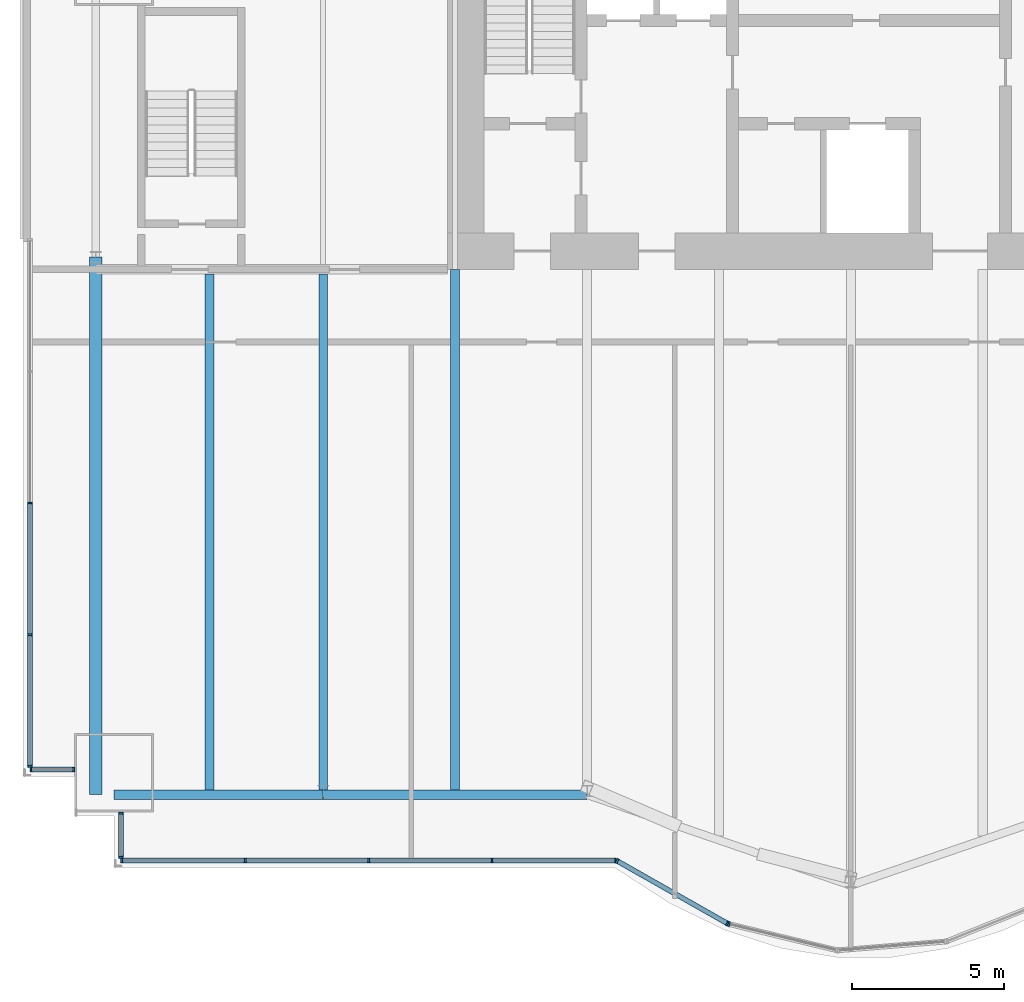
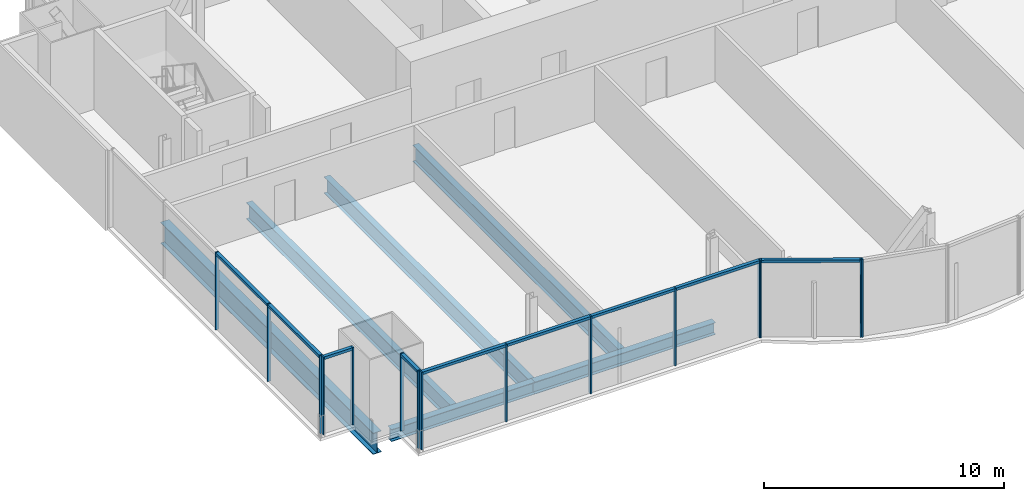
# One storey, part 5 of 20: 24 members, 6 beams, 5 elements without a shape of their own.
"""IFC4 building model written with IfcOpenShell, lengths in metres."""

import ifcopenshell
import ifcopenshell.guid

model = None  # the IFC model being written
_history = None  # IfcOwnerHistory: only IFC2X3 demands one
_inside = {}  # id of a spatial element -> (the spatial element, [elements in it])
_under = {}  # id of a project, library or spatial element -> (it, [spatial elements below it])
_declared = {}  # id of a project -> (the project, [libraries it declares])
_typed = {}  # id of a type object -> (the type object, [elements of that type])
_made_of = {}  # id of a material, layer set ... -> (it, [elements and type objects made of it])


def new_model(schema):
    """Start an empty IFC model of exactly this schema.

    Asked for "IFC4X3", IfcOpenShell would pick the latest addendum, in which some entities
    have other attributes; the version numbers below select the first issue.
    IFC2X3 requires an IfcOwnerHistory on every rooted entity: one is made here for all.
    """
    global model, _history
    if schema == "IFC4X3":
        model = ifcopenshell.file(schema_version=(4, 3, 0, 0))
    else:
        model = ifcopenshell.file(schema=schema)
    _inside.clear()
    _under.clear()
    _declared.clear()
    _typed.clear()
    _made_of.clear()
    _history = None
    if model.schema == "IFC2X3":
        org = make("IfcOrganization", Name="unknown")
        user = make(
            "IfcPersonAndOrganization",
            ThePerson=make("IfcPerson", FamilyName="unknown"),
            TheOrganization=org,
        )
        app = make(
            "IfcApplication",
            ApplicationDeveloper=org,
            Version="unknown",
            ApplicationFullName="unknown",
            ApplicationIdentifier="unknown",
        )
        _history = make(
            "IfcOwnerHistory",
            OwningUser=user,
            OwningApplication=app,
            ChangeAction="ADDED",
            CreationDate=0,
        )
    return model


def make(cls, **values):
    """One entity of the class cls with the attributes given. An attribute that is None is left unset."""
    return model.create_entity(
        cls, **{name: value for name, value in values.items() if value is not None}
    )


def rooted(cls, **values):
    """An entity with a GlobalId (a new one), such as an element, a storey or a relation."""
    return make(cls, GlobalId=ifcopenshell.guid.new(), OwnerHistory=_history, **values)


def si_unit(unit_type, name, prefix=None):
    """IfcSIUnit, for example si_unit("LENGTHUNIT", "METRE", prefix="MILLI")."""
    return make("IfcSIUnit", UnitType=unit_type, Prefix=prefix, Name=name)


def assignment(units):
    """IfcUnitAssignment: the units of a project."""
    return None if units is None else make("IfcUnitAssignment", Units=units)


def point(xyz):
    """IfcCartesianPoint."""
    return None if xyz is None else make("IfcCartesianPoint", Coordinates=xyz)


def direction(xyz):
    """IfcDirection."""
    return None if xyz is None else make("IfcDirection", DirectionRatios=xyz)


def frame(location, z_axis=None, x_axis=None):
    """IfcAxis2Placement3D, a coordinate frame: its origin and axes. An axis left out is left unset."""
    return make(
        "IfcAxis2Placement3D",
        Location=point(location),
        Axis=direction(z_axis),
        RefDirection=direction(x_axis),
    )


def frame_2d(location, x_axis=None):
    """IfcAxis2Placement2D, a coordinate frame in the plane: its origin and x axis."""
    return make(
        "IfcAxis2Placement2D", Location=point(location), RefDirection=direction(x_axis)
    )


def origin():
    """The frame at (0, 0, 0) with its axes left unset."""
    return frame((0.0, 0.0, 0.0))


def origin_2d():
    """The frame at (0, 0) in the plane with its x axis left unset."""
    return frame_2d((0.0, 0.0))


def place(relative_to, where):
    """IfcLocalPlacement: puts the frame where relative to a parent placement (None: the world)."""
    return make(
        "IfcLocalPlacement", PlacementRelTo=relative_to, RelativePlacement=where
    )


def context(
    kind, dimensions, precision=None, world=None, true_north=None, identifier=None
):
    """IfcGeometricRepresentationContext, for example the 3D "Model" context."""
    return make(
        "IfcGeometricRepresentationContext",
        ContextIdentifier=identifier,
        ContextType=kind,
        CoordinateSpaceDimension=dimensions,
        Precision=precision,
        WorldCoordinateSystem=world,
        TrueNorth=true_north,
    )


def subcontext(parent, identifier, kind, view, scale=None):
    """IfcGeometricRepresentationSubContext, for example "Body" below "Model"."""
    return make(
        "IfcGeometricRepresentationSubContext",
        ContextIdentifier=identifier,
        ContextType=kind,
        ParentContext=parent,
        TargetScale=scale,
        TargetView=view,
    )


def project(units=None, contexts=None):
    """IfcProject with its units and contexts."""
    return rooted(
        "IfcProject",
        Name="project",
        RepresentationContexts=contexts,
        UnitsInContext=assignment(units),
    )


def spatial(cls, under=None, at=None, **own):
    """A site, building, storey or space (cls), placed at a placement, below another one or the project."""
    s = rooted(cls, ObjectPlacement=at, **own)
    if under is not None:
        _under.setdefault(under.id(), (under, []))[1].append(s)
    return s


def profile(cls, at=None, kind="AREA", **sizes):
    """A parametric profile (cls). Its sizes go by their IFC names, for example OverallWidth=200.0."""
    return make(cls, ProfileType=kind, Position=at, **sizes)


def rectangle(**sizes):
    """IfcRectangleProfileDef."""
    return profile("IfcRectangleProfileDef", **sizes)


def i_section(**sizes):
    """IfcIShapeProfileDef."""
    return profile("IfcIShapeProfileDef", **sizes)


def extrude(swept, where, along, depth):
    """IfcExtrudedAreaSolid: the profile swept, set in the frame where, extruded along a direction by depth."""
    return make(
        "IfcExtrudedAreaSolid",
        SweptArea=swept,
        Position=where,
        ExtrudedDirection=direction(along),
        Depth=depth,
    )


def shape(context_of_items, identifier, shape_type, items):
    """IfcShapeRepresentation: the items that make up one representation, for example the "Body"."""
    return make(
        "IfcShapeRepresentation",
        ContextOfItems=context_of_items,
        RepresentationIdentifier=identifier,
        RepresentationType=shape_type,
        Items=items,
    )


def material(Name=None, Category=None):
    """IfcMaterial."""
    return make("IfcMaterial", Name=Name, Category=Category)


def material_profile(
    of_material, cross_section, Name=None, Category=None, Priority=None
):
    """IfcMaterialProfile: a cross section and its material."""
    return make(
        "IfcMaterialProfile",
        Name=Name,
        Material=of_material,
        Profile=cross_section,
        Priority=Priority,
        Category=Category,
    )


def profile_set(profiles, Name=None, composite=None):
    """IfcMaterialProfileSet."""
    return make(
        "IfcMaterialProfileSet",
        Name=Name,
        MaterialProfiles=profiles,
        CompositeProfile=composite,
    )


def made_of(thing, what):
    """Note that an element or type object is made of a material, layer set ...; save() writes the relation."""
    if what is not None:
        _made_of.setdefault(what.id(), (what, []))[1].append(thing)
    return thing


def type_object(cls, material=None, **own):
    """A type object (cls), such as IfcWallType, which elements share."""
    return made_of(rooted(cls, **own), material)


def element(
    cls,
    number,
    at=None,
    inside=None,
    cuts=None,
    type_object=None,
    material=None,
    context=None,
    identifier="Body",
    shape_type=None,
    held_by="IfcProductDefinitionShape",
    body=None,
    shapes=None,
    **own,
):
    """One element of the class cls, such as IfcWall. Its Tag is "e" and its number.

    at: its placement. inside: the storey or other place that contains it. cuts: it is an
    opening in that element (IfcRelVoidsElement). A single representation is given by context,
    identifier, shape_type and body (its items); several are given by shapes. held_by: the class
    of the entity that holds the representations. save() writes the other relations.
    """
    e = rooted(cls, Tag="e%d" % number, ObjectPlacement=at, **own)
    if body is not None:
        shapes = [shape(context, identifier, shape_type, body)]
    if shapes is not None:
        e.Representation = make(held_by, Representations=shapes)
    if inside is not None:
        _inside.setdefault(inside.id(), (inside, []))[1].append(e)
    if cuts is not None:
        rooted(
            "IfcRelVoidsElement", RelatingBuildingElement=cuts, RelatedOpeningElement=e
        )
    if type_object is not None:
        _typed.setdefault(type_object.id(), (type_object, []))[1].append(e)
    return made_of(e, material)


def aggregate(whole, parts):
    """IfcRelAggregates: a whole, such as a stair, and the parts it consists of."""
    return rooted("IfcRelAggregates", RelatingObject=whole, RelatedObjects=parts)


def save(model, path):
    """Write the relations noted so far, then the file.

    IfcRelAggregates (storeys below a building ...), IfcRelContainedInSpatialStructure (elements
    in a storey), IfcRelDefinesByType, IfcRelAssociatesMaterial and IfcRelDeclares: one each for
    every whole, place, type object, material and project.
    """
    for whole, parts in _under.values():
        aggregate(whole, parts)
    for where, things in _inside.values():
        rooted(
            "IfcRelContainedInSpatialStructure",
            RelatedElements=things,
            RelatingStructure=where,
        )
    for kind, things in _typed.values():
        rooted("IfcRelDefinesByType", RelatedObjects=things, RelatingType=kind)
    for what, things in _made_of.values():
        rooted("IfcRelAssociatesMaterial", RelatedObjects=things, RelatingMaterial=what)
    for by, libraries in _declared.values():
        rooted("IfcRelDeclares", RelatingContext=by, RelatedDefinitions=libraries)
    model.write(path)


model = new_model("IFC4")

# Units and contexts
model_context = context("Model", 3, precision=1e-05, world=origin(), true_north=direction((0.0, 1.0)))
body_context = subcontext(model_context, "Body", "Model", "MODEL_VIEW")
ifc_project = project(units=[si_unit("LENGTHUNIT", "METRE"), si_unit("AREAUNIT", "SQUARE_METRE"), si_unit("VOLUMEUNIT", "CUBIC_METRE"), si_unit("PLANEANGLEUNIT", "RADIAN"), si_unit("MASSUNIT", "GRAM", prefix="KILO")], contexts=[model_context])

# Site, building, storey
site_placement = place(None, origin())
site = spatial("IfcSite", under=ifc_project, at=site_placement, CompositionType="ELEMENT")
building_placement = place(site_placement, origin())
building = spatial("IfcBuilding", under=site, at=building_placement, Name="Bicima Exchange Tower", CompositionType="ELEMENT")
storey_placement = place(building_placement, frame((0.0, 0.0, 199.10009765625)))
storey = spatial("IfcBuildingStorey", under=building, at=storey_placement, Name="L44", CompositionType="ELEMENT", Elevation=199.10009765625)

# Curtain wall, members
ifc_material_1 = material(Name="Anodised bronze aluminium", Category="aluminium")
curtain_wall_type_1 = type_object("IfcCurtainWallType", Name="End face glass wall", PredefinedType="NOTDEFINED", material=ifc_material_1)
curtain_wall_1_placement = place(storey_placement, origin())
curtain_wall_1 = element("IfcCurtainWall", 1, at=curtain_wall_1_placement, inside=storey, type_object=curtain_wall_type_1, Name="End face glass wall L44 run 2", PredefinedType="NOTDEFINED")
ifc_material_profile_1 = material_profile(ifc_material_1, rectangle(XDim=0.159912109375, YDim=0.06005859375, at=origin_2d()))
ifc_profile_set_1 = profile_set([ifc_material_profile_1], Name="Anodised bronze aluminium")
member_type_1 = type_object("IfcMemberType", Name="End face glass wall mullion 60 x 160", PredefinedType="MULLION", material=ifc_profile_set_1)
member_1_placement = place(storey_placement, frame((-35.77001953125, -20.708984375, 0.0), z_axis=(0.0, 0.0, 1.0), x_axis=(1.0, 0.0, 0.0)))
member_1 = element("IfcMember", 2, at=member_1_placement, type_object=member_type_1, Name="End face glass wall mullion 3", PredefinedType="MULLION", context=body_context, shape_type="SweptSolid", body=[
    extrude(rectangle(XDim=0.159912109375, YDim=0.06005859375, at=origin_2d()), origin(), (0.0, 0.0, 1.0), 3.949951171875),
])
member_2_placement = place(storey_placement, frame((-35.77001953125, -25.048583984375, 0.0), z_axis=(0.0, 0.0, 1.0), x_axis=(1.0, 0.0, 0.0)))
member_2 = element("IfcMember", 3, at=member_2_placement, type_object=member_type_1, Name="End face glass wall mullion 4", PredefinedType="MULLION", context=body_context, shape_type="SweptSolid", body=[
    extrude(rectangle(XDim=0.159912109375, YDim=0.06005859375, at=origin_2d()), origin(), (0.0, 0.0, 1.0), 3.949951171875),
])
member_3_placement = place(storey_placement, frame((-35.77001953125, -29.387939453125, 0.0), z_axis=(0.0, 0.0, 1.0), x_axis=(1.0, 0.0, 0.0)))
member_3 = element("IfcMember", 4, at=member_3_placement, type_object=member_type_1, Name="End face glass wall mullion 5", PredefinedType="MULLION", context=body_context, shape_type="SweptSolid", body=[
    extrude(rectangle(XDim=0.159912109375, YDim=0.06005859375, at=origin_2d()), origin(), (0.0, 0.0, 1.0), 3.949951171875),
])
ifc_material_profile_2 = material_profile(ifc_material_1, rectangle(XDim=0.159912109375, YDim=0.139892578125, at=origin_2d()))
ifc_profile_set_2 = profile_set([ifc_material_profile_2], Name="Anodised bronze aluminium")
member_type_2 = type_object("IfcMemberType", Name="End face glass wall transom 140 x 160", PredefinedType="USERDEFINED", material=ifc_profile_set_2)
member_4_placement = place(storey_placement, frame((-35.77001953125, -20.739013671875, 3.8798828125), z_axis=(0.0, -1.0, 0.0), x_axis=(1.0, 0.0, 0.0)))
member_4 = element("IfcMember", 5, at=member_4_placement, type_object=member_type_2, Name="End face glass wall transom 3.1", ObjectType="TRANSOM", PredefinedType="USERDEFINED", context=body_context, shape_type="SweptSolid", body=[
    extrude(rectangle(XDim=0.159912109375, YDim=0.139892578125, at=origin_2d()), origin(), (0.0, 0.0, 1.0), 4.279541015625),
])
member_5_placement = place(storey_placement, frame((-35.77001953125, -25.07861328125, 3.8798828125), z_axis=(0.0, -1.0, 0.0), x_axis=(1.0, 0.0, 0.0)))
member_5 = element("IfcMember", 6, at=member_5_placement, type_object=member_type_2, Name="End face glass wall transom 4.1", ObjectType="TRANSOM", PredefinedType="USERDEFINED", context=body_context, shape_type="SweptSolid", body=[
    extrude(rectangle(XDim=0.159912109375, YDim=0.139892578125, at=origin_2d()), origin(), (0.0, 0.0, 1.0), 4.279296875),
])
aggregate(curtain_wall_1, [member_1, member_2, member_3, member_4, member_5])

# Beams
ifc_material_2 = material(Name="Steel ASTM A992 Gr 50", Category="steel")
ifc_material_profile_3 = material_profile(ifc_material_2, i_section(OverallWidth=0.4013671875, OverallDepth=1.089599609375, WebThickness=0.01806640625, FlangeThickness=0.031005859375, at=origin_2d()))
ifc_profile_set_3 = profile_set([ifc_material_profile_3], Name="Steel ASTM A992 Gr 50")
beam_type_1 = type_object("IfcBeamType", Name="End girder W44x230", PredefinedType="BEAM", material=ifc_profile_set_3)
beam_1_placement = place(storey_placement, frame((-33.60009765625, -12.60009765625, -0.69482421875), z_axis=(0.0, -1.0, 0.0), x_axis=(1.0, 0.0, 0.0)))
element("IfcBeam", 7, at=beam_1_placement, inside=storey, type_object=beam_type_1, Name="End girder", PredefinedType="BEAM", context=body_context, shape_type="SweptSolid", body=[
    extrude(i_section(OverallWidth=0.4013671875, OverallDepth=1.089599609375, WebThickness=0.01806640625, FlangeThickness=0.031005859375, at=origin_2d()), origin(), (0.0, 0.0, 1.0), 17.727783203125),
])
ifc_material_profile_4 = material_profile(ifc_material_2, i_section(OverallWidth=0.2919921875, OverallDepth=0.835693359375, WebThickness=0.013916015625, FlangeThickness=0.018798828125, at=origin_2d()))
ifc_profile_set_4 = profile_set([ifc_material_profile_4], Name="Steel ASTM A992 Gr 50")
beam_type_2 = type_object("IfcBeamType", Name="Floor beam W33x118", PredefinedType="JOIST", material=ifc_profile_set_4)
for number, where, z_axis, x_axis, name in (
    (8, (-29.85009765625, -13.15234375, -0.56787109375), (0.0, -1.0, 0.0), (1.0, 0.0, 0.0), "Floor beam"),
    (9, (-26.10009765625, -13.15234375, -0.56787109375), (0.0, -1.0, 0.0), (1.0, 0.0, 0.0), "Floor beam"),
):
    element("IfcBeam", number, at=place(storey_placement, frame(where, z_axis=z_axis, x_axis=x_axis)), inside=storey, type_object=beam_type_2, Name=name, PredefinedType="JOIST", context=body_context, shape_type="SweptSolid", body=[
        extrude(i_section(OverallWidth=0.2919921875, OverallDepth=0.835693359375, WebThickness=0.013916015625, FlangeThickness=0.018798828125, at=origin_2d()), origin(), (0.0, 0.0, 1.0), 17.012939453125),
    ])
beam_2_placement = place(storey_placement, frame((-21.75, -13.0, -0.56787109375), z_axis=(0.0, -1.0, 0.0), x_axis=(1.0, 0.0, 0.0)))
element("IfcBeam", 10, at=beam_2_placement, inside=storey, type_object=beam_type_2, Name="Floor beam", PredefinedType="JOIST", context=body_context, shape_type="SweptSolid", body=[
    extrude(i_section(OverallWidth=0.2919921875, OverallDepth=0.835693359375, WebThickness=0.013916015625, FlangeThickness=0.018798828125, at=origin_2d()), origin(), (0.0, 0.0, 1.0), 17.165283203125),
])
ifc_material_profile_5 = material_profile(ifc_material_2, i_section(OverallWidth=0.3251953125, OverallDepth=0.612060546875, WebThickness=0.0126953125, FlangeThickness=0.01904296875, at=origin_2d()))
ifc_profile_set_5 = profile_set([ifc_material_profile_5], Name="Steel ASTM A992 Gr 50")
beam_type_3 = type_object("IfcBeamType", Name="Front girder W24x104", PredefinedType="BEAM", material=ifc_profile_set_5)
beam_3_placement = place(storey_placement, frame((-33.0, -30.327880859375, -0.456298828125), z_axis=(1.0, 0.0, 0.0), x_axis=(0.0, 1.0, 0.0)))
element("IfcBeam", 11, at=beam_3_placement, inside=storey, type_object=beam_type_3, Name="Front girder", PredefinedType="BEAM", context=body_context, shape_type="SweptSolid", body=[
    extrude(i_section(OverallWidth=0.3251953125, OverallDepth=0.612060546875, WebThickness=0.0126953125, FlangeThickness=0.01904296875, at=origin_2d()), origin(), (0.0, 0.0, 1.0), 6.89990234375),
])
beam_4_placement = place(storey_placement, frame((-26.10009765625, -30.327880859375, -0.456298828125), z_axis=(1.0, 0.0, 0.0), x_axis=(0.0, 1.0, 0.0)))
element("IfcBeam", 12, at=beam_4_placement, inside=storey, type_object=beam_type_3, Name="Front girder", PredefinedType="BEAM", context=body_context, shape_type="SweptSolid", body=[
    extrude(i_section(OverallWidth=0.3251953125, OverallDepth=0.612060546875, WebThickness=0.0126953125, FlangeThickness=0.01904296875, at=origin_2d()), origin(), (0.0, 0.0, 1.0), 8.7001953125),
])

# Curtain wall, members
curtain_wall_type_2 = type_object("IfcCurtainWallType", Name="Front glass wall", PredefinedType="NOTDEFINED", material=ifc_material_1)
curtain_wall_2_placement = place(storey_placement, origin())
curtain_wall_2 = element("IfcCurtainWall", 13, at=curtain_wall_2_placement, inside=storey, type_object=curtain_wall_type_2, Name="Front glass wall L44 run 3", PredefinedType="NOTDEFINED")
member_type_3 = type_object("IfcMemberType", Name="Front glass wall mullion 60 x 160", PredefinedType="MULLION", material=ifc_profile_set_1)
member_6_placement = place(storey_placement, frame((-35.739990234375, -29.498046875, 0.0), z_axis=(0.0, 0.0, 1.0), x_axis=(0.0, 1.0, 0.0)))
member_6 = element("IfcMember", 14, at=member_6_placement, type_object=member_type_3, Name="Front glass wall mullion 1", PredefinedType="MULLION", context=body_context, shape_type="SweptSolid", body=[
    extrude(rectangle(XDim=0.159912109375, YDim=0.06005859375, at=origin_2d()), origin(), (0.0, 0.0, 1.0), 3.949951171875),
])
member_7_placement = place(storey_placement, frame((-34.330078125, -29.498046875, 0.0), z_axis=(0.0, 0.0, 1.0), x_axis=(0.0, 1.0, 0.0)))
member_7 = element("IfcMember", 15, at=member_7_placement, type_object=member_type_3, Name="Front glass wall mullion 2", PredefinedType="MULLION", context=body_context, shape_type="SweptSolid", body=[
    extrude(rectangle(XDim=0.159912109375, YDim=0.06005859375, at=origin_2d()), origin(), (0.0, 0.0, 1.0), 3.949951171875),
])

curtain_wall_3_placement = place(storey_placement, origin())
curtain_wall_3 = element("IfcCurtainWall", 16, at=curtain_wall_3_placement, inside=storey, type_object=curtain_wall_type_2, Name="Front glass wall L44 run 4", PredefinedType="NOTDEFINED")
member_8_placement = place(storey_placement, frame((-32.77001953125, -30.93603515625, 0.0), z_axis=(0.0, 0.0, 1.0), x_axis=(1.0, 0.0, 0.0)))
member_8 = element("IfcMember", 17, at=member_8_placement, type_object=member_type_3, Name="Front glass wall mullion 1", PredefinedType="MULLION", context=body_context, shape_type="SweptSolid", body=[
    extrude(rectangle(XDim=0.159912109375, YDim=0.06005859375, at=origin_2d()), origin(), (0.0, 0.0, 1.0), 3.949951171875),
])
member_9_placement = place(storey_placement, frame((-32.77001953125, -32.387939453125, 0.0), z_axis=(0.0, 0.0, 1.0), x_axis=(1.0, 0.0, 0.0)))
member_9 = element("IfcMember", 18, at=member_9_placement, type_object=member_type_3, Name="Front glass wall mullion 2", PredefinedType="MULLION", context=body_context, shape_type="SweptSolid", body=[
    extrude(rectangle(XDim=0.159912109375, YDim=0.06005859375, at=origin_2d()), origin(), (0.0, 0.0, 1.0), 3.949951171875),
])

curtain_wall_4_placement = place(storey_placement, origin())
curtain_wall_4 = element("IfcCurtainWall", 19, at=curtain_wall_4_placement, inside=storey, type_object=curtain_wall_type_2, Name="Front glass wall L44 run 5", PredefinedType="NOTDEFINED")
member_10_placement = place(storey_placement, frame((-32.739990234375, -32.498046875, 0.0), z_axis=(0.0, 0.0, 1.0), x_axis=(0.0, 1.0, 0.0)))
member_10 = element("IfcMember", 20, at=member_10_placement, type_object=member_type_3, Name="Front glass wall mullion 1", PredefinedType="MULLION", context=body_context, shape_type="SweptSolid", body=[
    extrude(rectangle(XDim=0.159912109375, YDim=0.06005859375, at=origin_2d()), origin(), (0.0, 0.0, 1.0), 3.949951171875),
])
member_11_placement = place(storey_placement, frame((-28.67041015625, -32.498046875, 0.0), z_axis=(0.0, 0.0, 1.0), x_axis=(0.0, 1.0, 0.0)))
member_11 = element("IfcMember", 21, at=member_11_placement, type_object=member_type_3, Name="Front glass wall mullion 2", PredefinedType="MULLION", context=body_context, shape_type="SweptSolid", body=[
    extrude(rectangle(XDim=0.159912109375, YDim=0.06005859375, at=origin_2d()), origin(), (0.0, 0.0, 1.0), 3.949951171875),
])
member_12_placement = place(storey_placement, frame((-24.60107421875, -32.498046875, 0.0), z_axis=(0.0, 0.0, 1.0), x_axis=(0.0, 1.0, 0.0)))
member_12 = element("IfcMember", 22, at=member_12_placement, type_object=member_type_3, Name="Front glass wall mullion 3", PredefinedType="MULLION", context=body_context, shape_type="SweptSolid", body=[
    extrude(rectangle(XDim=0.159912109375, YDim=0.06005859375, at=origin_2d()), origin(), (0.0, 0.0, 1.0), 3.949951171875),
])
member_13_placement = place(storey_placement, frame((-20.531494140625, -32.498046875, 0.0), z_axis=(0.0, 0.0, 1.0), x_axis=(0.0, 1.0, 0.0)))
member_13 = element("IfcMember", 23, at=member_13_placement, type_object=member_type_3, Name="Front glass wall mullion 4", PredefinedType="MULLION", context=body_context, shape_type="SweptSolid", body=[
    extrude(rectangle(XDim=0.159912109375, YDim=0.06005859375, at=origin_2d()), origin(), (0.0, 0.0, 1.0), 3.949951171875),
])
member_14_placement = place(storey_placement, frame((-16.462158203125, -32.498046875, 0.0), z_axis=(0.0, 0.0, 1.0), x_axis=(0.0, 1.0, 0.0)))
member_14 = element("IfcMember", 24, at=member_14_placement, type_object=member_type_3, Name="Front glass wall mullion 5", PredefinedType="MULLION", context=body_context, shape_type="SweptSolid", body=[
    extrude(rectangle(XDim=0.159912109375, YDim=0.06005859375, at=origin_2d()), origin(), (0.0, 0.0, 1.0), 3.949951171875),
])

curtain_wall_5_placement = place(storey_placement, origin())
curtain_wall_5 = element("IfcCurtainWall", 25, at=curtain_wall_5_placement, inside=storey, type_object=curtain_wall_type_2, Name="Front glass wall L44 run 6", PredefinedType="NOTDEFINED")
member_15_placement = place(storey_placement, frame((-16.406005859375, -32.5126953125, 0.0), z_axis=(0.0, 0.0, 1.0), x_axis=(0.493395449343, 0.869805110681, 0.0)))
member_15 = element("IfcMember", 26, at=member_15_placement, type_object=member_type_3, Name="Front glass wall mullion 1", PredefinedType="MULLION", context=body_context, shape_type="SweptSolid", body=[
    extrude(rectangle(XDim=0.159912109375, YDim=0.06005859375, at=origin_2d()), origin(), (0.0, 0.0, 1.0), 3.949951171875),
])
member_16_placement = place(storey_placement, frame((-12.7734375, -34.573486328125, 0.0), z_axis=(0.0, 0.0, 1.0), x_axis=(0.493395449343, 0.869805110681, 0.0)))
member_16 = element("IfcMember", 27, at=member_16_placement, type_object=member_type_3, Name="Front glass wall mullion 2", PredefinedType="MULLION", context=body_context, shape_type="SweptSolid", body=[
    extrude(rectangle(XDim=0.159912109375, YDim=0.06005859375, at=origin_2d()), origin(), (0.0, 0.0, 1.0), 3.949951171875),
])
member_17_placement = place(storey_placement, frame((-12.718017578125, -34.59521484375, 0.0), z_axis=(0.0, 0.0, 1.0), x_axis=(0.235681529503, 0.971830343553, 0.0)))
member_17 = element("IfcMember", 28, at=member_17_placement, type_object=member_type_3, Name="Front glass wall mullion 1", PredefinedType="MULLION", context=body_context, shape_type="SweptSolid", body=[
    extrude(rectangle(XDim=0.159912109375, YDim=0.06005859375, at=origin_2d()), origin(), (0.0, 0.0, 1.0), 3.949951171875),
])

# Member
member_type_4 = type_object("IfcMemberType", Name="Front glass wall transom 140 x 160", PredefinedType="USERDEFINED", material=ifc_profile_set_2)
member_18_placement = place(storey_placement, frame((-35.7099609375, -29.498046875, 3.8798828125), z_axis=(1.0, 0.0, 0.0), x_axis=(0.0, 1.0, 0.0)))
member_18 = element("IfcMember", 29, at=member_18_placement, type_object=member_type_4, Name="Front glass wall transom 1.1", ObjectType="TRANSOM", PredefinedType="USERDEFINED", context=body_context, shape_type="SweptSolid", body=[
    extrude(rectangle(XDim=0.159912109375, YDim=0.139892578125, at=origin_2d()), origin(), (0.0, 0.0, 1.0), 1.349853515625),
])

aggregate(curtain_wall_2, [member_6, member_7, member_18])

member_19_placement = place(storey_placement, frame((-32.77001953125, -30.966064453125, 3.8798828125), z_axis=(0.0, -1.0, 0.0), x_axis=(1.0, 0.0, 0.0)))
member_19 = element("IfcMember", 30, at=member_19_placement, type_object=member_type_4, Name="Front glass wall transom 1.1", ObjectType="TRANSOM", PredefinedType="USERDEFINED", context=body_context, shape_type="SweptSolid", body=[
    extrude(rectangle(XDim=0.159912109375, YDim=0.139892578125, at=origin_2d()), origin(), (0.0, 0.0, 1.0), 1.391845703125),
])

aggregate(curtain_wall_3, [member_8, member_9, member_19])

member_20_placement = place(storey_placement, frame((-32.7099609375, -32.498046875, 3.8798828125), z_axis=(1.0, 0.0, 0.0), x_axis=(0.0, 1.0, 0.0)))
member_20 = element("IfcMember", 31, at=member_20_placement, type_object=member_type_4, Name="Front glass wall transom 1.1", ObjectType="TRANSOM", PredefinedType="USERDEFINED", context=body_context, shape_type="SweptSolid", body=[
    extrude(rectangle(XDim=0.159912109375, YDim=0.139892578125, at=origin_2d()), origin(), (0.0, 0.0, 1.0), 4.009521484375),
])

member_21_placement = place(storey_placement, frame((-28.640380859375, -32.498046875, 3.8798828125), z_axis=(1.0, 0.0, 0.0), x_axis=(0.0, 1.0, 0.0)))
member_21 = element("IfcMember", 32, at=member_21_placement, type_object=member_type_4, Name="Front glass wall transom 2.1", ObjectType="TRANSOM", PredefinedType="USERDEFINED", context=body_context, shape_type="SweptSolid", body=[
    extrude(rectangle(XDim=0.159912109375, YDim=0.139892578125, at=origin_2d()), origin(), (0.0, 0.0, 1.0), 4.00927734375),
])

member_22_placement = place(storey_placement, frame((-24.571044921875, -32.498046875, 3.8798828125), z_axis=(1.0, 0.0, 0.0), x_axis=(0.0, 1.0, 0.0)))
member_22 = element("IfcMember", 33, at=member_22_placement, type_object=member_type_4, Name="Front glass wall transom 3.1", ObjectType="TRANSOM", PredefinedType="USERDEFINED", context=body_context, shape_type="SweptSolid", body=[
    extrude(rectangle(XDim=0.159912109375, YDim=0.139892578125, at=origin_2d()), origin(), (0.0, 0.0, 1.0), 4.009521484375),
])

member_23_placement = place(storey_placement, frame((-20.501708984375, -32.498046875, 3.8798828125), z_axis=(1.0, 0.0, 0.0), x_axis=(0.0, 1.0, 0.0)))
member_23 = element("IfcMember", 34, at=member_23_placement, type_object=member_type_4, Name="Front glass wall transom 4.1", ObjectType="TRANSOM", PredefinedType="USERDEFINED", context=body_context, shape_type="SweptSolid", body=[
    extrude(rectangle(XDim=0.159912109375, YDim=0.139892578125, at=origin_2d()), origin(), (0.0, 0.0, 1.0), 4.009521484375),
])

aggregate(curtain_wall_4, [member_10, member_11, member_12, member_13, member_14, member_20, member_21, member_22, member_23])

member_24_placement = place(storey_placement, frame((-16.3798828125, -32.527587890625, 3.8798828125), z_axis=(0.869797371721, -0.49340909208, 0.0), x_axis=(0.49340909208, 0.869797371721, 0.0)))
member_24 = element("IfcMember", 35, at=member_24_placement, type_object=member_type_4, Name="Front glass wall transom 1.1", ObjectType="TRANSOM", PredefinedType="USERDEFINED", context=body_context, shape_type="SweptSolid", body=[
    extrude(rectangle(XDim=0.159912109375, YDim=0.139892578125, at=origin_2d()), origin(), (0.0, 0.0, 1.0), 4.1162109375),
])

aggregate(curtain_wall_5, [member_15, member_16, member_24, member_17])

save(model, "model.ifc")
